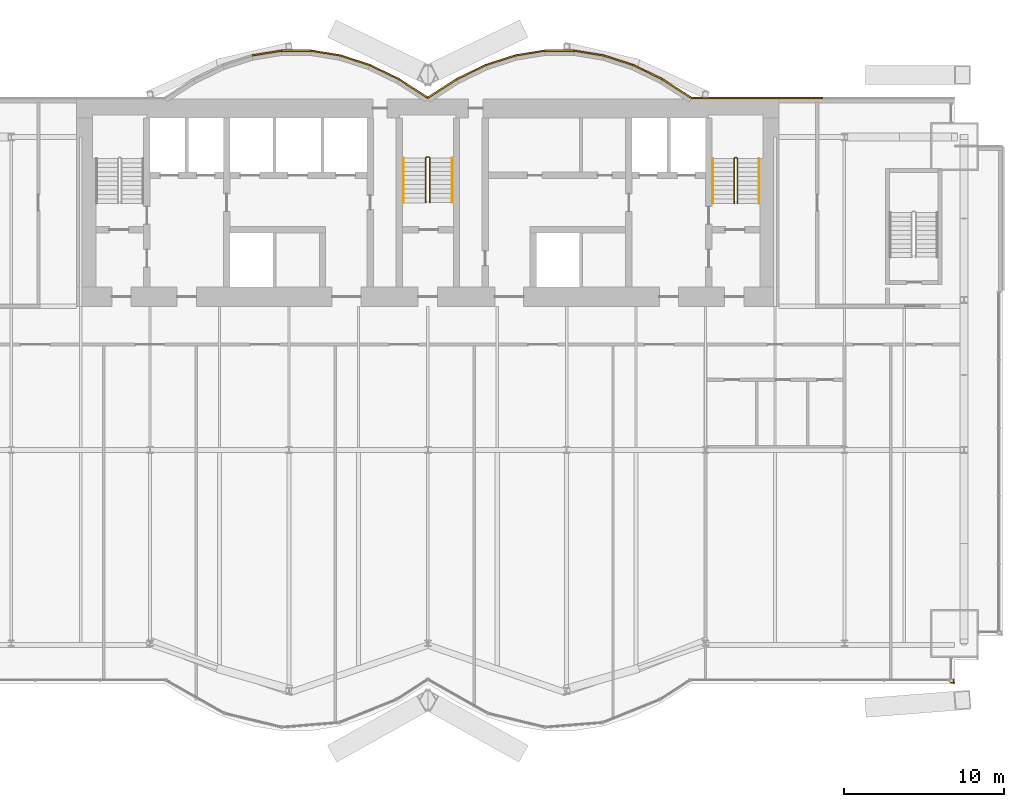
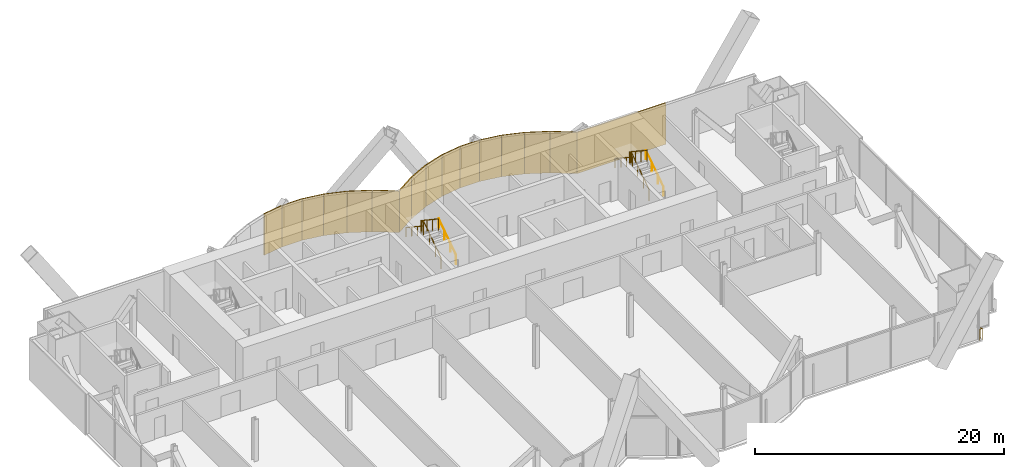
# One storey, part 20 of 21: 16 coverings, 7 railings.
"""IFC4 building model written with IfcOpenShell, lengths in metres."""

import ifcopenshell
import ifcopenshell.guid

model = None  # the IFC model being written
_history = None  # IfcOwnerHistory: only IFC2X3 demands one
_inside = {}  # id of a spatial element -> (the spatial element, [elements in it])
_under = {}  # id of a project, library or spatial element -> (it, [spatial elements below it])
_declared = {}  # id of a project -> (the project, [libraries it declares])
_typed = {}  # id of a type object -> (the type object, [elements of that type])
_made_of = {}  # id of a material, layer set ... -> (it, [elements and type objects made of it])


def new_model(schema):
    """Start an empty IFC model of exactly this schema.

    Asked for "IFC4X3", IfcOpenShell would pick the latest addendum, in which some entities
    have other attributes; the version numbers below select the first issue.
    IFC2X3 requires an IfcOwnerHistory on every rooted entity: one is made here for all.
    """
    global model, _history
    if schema == "IFC4X3":
        model = ifcopenshell.file(schema_version=(4, 3, 0, 0))
    else:
        model = ifcopenshell.file(schema=schema)
    _inside.clear()
    _under.clear()
    _declared.clear()
    _typed.clear()
    _made_of.clear()
    _history = None
    if model.schema == "IFC2X3":
        org = make("IfcOrganization", Name="unknown")
        user = make(
            "IfcPersonAndOrganization",
            ThePerson=make("IfcPerson", FamilyName="unknown"),
            TheOrganization=org,
        )
        app = make(
            "IfcApplication",
            ApplicationDeveloper=org,
            Version="unknown",
            ApplicationFullName="unknown",
            ApplicationIdentifier="unknown",
        )
        _history = make(
            "IfcOwnerHistory",
            OwningUser=user,
            OwningApplication=app,
            ChangeAction="ADDED",
            CreationDate=0,
        )
    return model


def make(cls, **values):
    """One entity of the class cls with the attributes given. An attribute that is None is left unset."""
    return model.create_entity(
        cls, **{name: value for name, value in values.items() if value is not None}
    )


def rooted(cls, **values):
    """An entity with a GlobalId (a new one), such as an element, a storey or a relation."""
    return make(cls, GlobalId=ifcopenshell.guid.new(), OwnerHistory=_history, **values)


def si_unit(unit_type, name, prefix=None):
    """IfcSIUnit, for example si_unit("LENGTHUNIT", "METRE", prefix="MILLI")."""
    return make("IfcSIUnit", UnitType=unit_type, Prefix=prefix, Name=name)


def assignment(units):
    """IfcUnitAssignment: the units of a project."""
    return None if units is None else make("IfcUnitAssignment", Units=units)


def point(xyz):
    """IfcCartesianPoint."""
    return None if xyz is None else make("IfcCartesianPoint", Coordinates=xyz)


def direction(xyz):
    """IfcDirection."""
    return None if xyz is None else make("IfcDirection", DirectionRatios=xyz)


def frame(location, z_axis=None, x_axis=None):
    """IfcAxis2Placement3D, a coordinate frame: its origin and axes. An axis left out is left unset."""
    return make(
        "IfcAxis2Placement3D",
        Location=point(location),
        Axis=direction(z_axis),
        RefDirection=direction(x_axis),
    )


def frame_2d(location, x_axis=None):
    """IfcAxis2Placement2D, a coordinate frame in the plane: its origin and x axis."""
    return make(
        "IfcAxis2Placement2D", Location=point(location), RefDirection=direction(x_axis)
    )


def origin():
    """The frame at (0, 0, 0) with its axes left unset."""
    return frame((0.0, 0.0, 0.0))


def origin_2d():
    """The frame at (0, 0) in the plane with its x axis left unset."""
    return frame_2d((0.0, 0.0))


def place(relative_to, where):
    """IfcLocalPlacement: puts the frame where relative to a parent placement (None: the world)."""
    return make(
        "IfcLocalPlacement", PlacementRelTo=relative_to, RelativePlacement=where
    )


def context(
    kind, dimensions, precision=None, world=None, true_north=None, identifier=None
):
    """IfcGeometricRepresentationContext, for example the 3D "Model" context."""
    return make(
        "IfcGeometricRepresentationContext",
        ContextIdentifier=identifier,
        ContextType=kind,
        CoordinateSpaceDimension=dimensions,
        Precision=precision,
        WorldCoordinateSystem=world,
        TrueNorth=true_north,
    )


def subcontext(parent, identifier, kind, view, scale=None):
    """IfcGeometricRepresentationSubContext, for example "Body" below "Model"."""
    return make(
        "IfcGeometricRepresentationSubContext",
        ContextIdentifier=identifier,
        ContextType=kind,
        ParentContext=parent,
        TargetScale=scale,
        TargetView=view,
    )


def project(units=None, contexts=None):
    """IfcProject with its units and contexts."""
    return rooted(
        "IfcProject",
        Name="project",
        RepresentationContexts=contexts,
        UnitsInContext=assignment(units),
    )


def spatial(cls, under=None, at=None, **own):
    """A site, building, storey or space (cls), placed at a placement, below another one or the project."""
    s = rooted(cls, ObjectPlacement=at, **own)
    if under is not None:
        _under.setdefault(under.id(), (under, []))[1].append(s)
    return s


def profile(cls, at=None, kind="AREA", **sizes):
    """A parametric profile (cls). Its sizes go by their IFC names, for example OverallWidth=200.0."""
    return make(cls, ProfileType=kind, Position=at, **sizes)


def rectangle(**sizes):
    """IfcRectangleProfileDef."""
    return profile("IfcRectangleProfileDef", **sizes)


def circle(**sizes):
    """IfcCircleProfileDef."""
    return profile("IfcCircleProfileDef", **sizes)


def extrude(swept, where, along, depth):
    """IfcExtrudedAreaSolid: the profile swept, set in the frame where, extruded along a direction by depth."""
    return make(
        "IfcExtrudedAreaSolid",
        SweptArea=swept,
        Position=where,
        ExtrudedDirection=direction(along),
        Depth=depth,
    )


def shape(context_of_items, identifier, shape_type, items):
    """IfcShapeRepresentation: the items that make up one representation, for example the "Body"."""
    return make(
        "IfcShapeRepresentation",
        ContextOfItems=context_of_items,
        RepresentationIdentifier=identifier,
        RepresentationType=shape_type,
        Items=items,
    )


def material(Name=None, Category=None):
    """IfcMaterial."""
    return make("IfcMaterial", Name=Name, Category=Category)


def layer(
    of_material, thickness, ventilated=None, Name=None, Category=None, Priority=None
):
    """IfcMaterialLayer: one layer of a wall or slab, of a material (None: an air gap)."""
    return make(
        "IfcMaterialLayer",
        Material=of_material,
        LayerThickness=thickness,
        IsVentilated=ventilated,
        Name=Name,
        Category=Category,
        Priority=Priority,
    )


def layer_set(layers, Name=None):
    """IfcMaterialLayerSet."""
    return make("IfcMaterialLayerSet", MaterialLayers=layers, LayerSetName=Name)


def made_of(thing, what):
    """Note that an element or type object is made of a material, layer set ...; save() writes the relation."""
    if what is not None:
        _made_of.setdefault(what.id(), (what, []))[1].append(thing)
    return thing


def type_object(cls, material=None, **own):
    """A type object (cls), such as IfcWallType, which elements share."""
    return made_of(rooted(cls, **own), material)


def element(
    cls,
    number,
    at=None,
    inside=None,
    cuts=None,
    type_object=None,
    material=None,
    context=None,
    identifier="Body",
    shape_type=None,
    held_by="IfcProductDefinitionShape",
    body=None,
    shapes=None,
    **own,
):
    """One element of the class cls, such as IfcWall. Its Tag is "e" and its number.

    at: its placement. inside: the storey or other place that contains it. cuts: it is an
    opening in that element (IfcRelVoidsElement). A single representation is given by context,
    identifier, shape_type and body (its items); several are given by shapes. held_by: the class
    of the entity that holds the representations. save() writes the other relations.
    """
    e = rooted(cls, Tag="e%d" % number, ObjectPlacement=at, **own)
    if body is not None:
        shapes = [shape(context, identifier, shape_type, body)]
    if shapes is not None:
        e.Representation = make(held_by, Representations=shapes)
    if inside is not None:
        _inside.setdefault(inside.id(), (inside, []))[1].append(e)
    if cuts is not None:
        rooted(
            "IfcRelVoidsElement", RelatingBuildingElement=cuts, RelatedOpeningElement=e
        )
    if type_object is not None:
        _typed.setdefault(type_object.id(), (type_object, []))[1].append(e)
    return made_of(e, material)


def aggregate(whole, parts):
    """IfcRelAggregates: a whole, such as a stair, and the parts it consists of."""
    return rooted("IfcRelAggregates", RelatingObject=whole, RelatedObjects=parts)


def save(model, path):
    """Write the relations noted so far, then the file.

    IfcRelAggregates (storeys below a building ...), IfcRelContainedInSpatialStructure (elements
    in a storey), IfcRelDefinesByType, IfcRelAssociatesMaterial and IfcRelDeclares: one each for
    every whole, place, type object, material and project.
    """
    for whole, parts in _under.values():
        aggregate(whole, parts)
    for where, things in _inside.values():
        rooted(
            "IfcRelContainedInSpatialStructure",
            RelatedElements=things,
            RelatingStructure=where,
        )
    for kind, things in _typed.values():
        rooted("IfcRelDefinesByType", RelatedObjects=things, RelatingType=kind)
    for what, things in _made_of.values():
        rooted("IfcRelAssociatesMaterial", RelatedObjects=things, RelatingMaterial=what)
    for by, libraries in _declared.values():
        rooted("IfcRelDeclares", RelatingContext=by, RelatedDefinitions=libraries)
    model.write(path)


model = new_model("IFC4")

# Units and contexts
model_context = context("Model", 3, precision=1e-05, world=origin(), true_north=direction((0.0, 1.0)))
body_context = subcontext(model_context, "Body", "Model", "MODEL_VIEW")
ifc_project = project(units=[si_unit("LENGTHUNIT", "METRE"), si_unit("AREAUNIT", "SQUARE_METRE"), si_unit("VOLUMEUNIT", "CUBIC_METRE"), si_unit("PLANEANGLEUNIT", "RADIAN"), si_unit("MASSUNIT", "GRAM", prefix="KILO")], contexts=[model_context])

# Site, building, storey
site_placement = place(None, origin())
site = spatial("IfcSite", under=ifc_project, at=site_placement, CompositionType="ELEMENT")
building_placement = place(site_placement, origin())
building = spatial("IfcBuilding", under=site, at=building_placement, Name="Bicima Exchange Tower", CompositionType="ELEMENT")
storey_placement = place(building_placement, frame((0.0, 0.0, 130.89990234375)))
storey = spatial("IfcBuildingStorey", under=building, at=storey_placement, Name="L28", CompositionType="ELEMENT", Elevation=130.89990234375)

# Coverings
ifc_material_1 = material(Name="Bronze metal cladding")
ifc_layer_1 = layer(ifc_material_1, 0.004)
ifc_material_2 = material(Name="Ventilated cavity")
ifc_layer_2 = layer(ifc_material_2, 0.06)
ifc_material_3 = material(Name="Galvanised steel rail and mineral wool", Category="steel")
ifc_layer_3 = layer(ifc_material_3, 0.036)
ifc_layer_set = layer_set([ifc_layer_1, ifc_layer_2, ifc_layer_3], Name="Ventilated cavity")
covering_type = type_object("IfcCoveringType", Name="Bronze metal cladding panel 100", PredefinedType="CLADDING", material=ifc_layer_set)
covering_1_placement = place(storey_placement, frame((20.625, 0.050048828125, -0.14990234375), z_axis=(0.0, 0.0, 1.0), x_axis=(-1.0, 0.0, 0.0)))
element("IfcCovering", 1, at=covering_1_placement, inside=storey, type_object=covering_type, Name="Bronze cladding L28 1.2", PredefinedType="CLADDING", context=body_context, shape_type="SweptSolid", body=[
    extrude(rectangle(XDim=8.25, YDim=0.10009765625, at=origin_2d()), origin(), (0.0, 0.0, 1.0), 4.050048828125),
])
covering_2_placement = place(storey_placement, frame((15.610595703125, 0.634521484375, -0.14990234375), z_axis=(0.0, 0.0, 1.0), x_axis=(-0.839790466384, 0.542910648791, 0.0)))
element("IfcCovering", 2, at=covering_2_placement, inside=storey, type_object=covering_type, Name="Bronze cladding L28 2.1", PredefinedType="CLADDING", context=body_context, shape_type="SweptSolid", body=[
    extrude(rectangle(XDim=2.18310546875, YDim=0.10009765625, at=origin_2d()), origin(), (0.0, 0.0, 1.0), 4.050048828125),
])
covering_3_placement = place(storey_placement, frame((13.771728515625, 1.674560546875, -0.14990234375), z_axis=(0.0, 0.0, 1.0), x_axis=(-0.899818346812, 0.436264762204, 0.0)))
element("IfcCovering", 3, at=covering_3_placement, inside=storey, type_object=covering_type, Name="Bronze cladding L28 3.1", PredefinedType="CLADDING", context=body_context, shape_type="SweptSolid", body=[
    extrude(rectangle(XDim=2.03759765625, YDim=0.10009765625, at=origin_2d()), origin(), (0.0, 0.0, 1.0), 4.050048828125),
])
covering_4_placement = place(storey_placement, frame((11.931884765625, 2.41796875, -0.14990234375), z_axis=(0.0, 0.0, 1.0), x_axis=(-0.951524642381, 0.307572519808, 0.0)))
element("IfcCovering", 4, at=covering_4_placement, inside=storey, type_object=covering_type, Name="Bronze cladding L28 4.1", PredefinedType="CLADDING", context=body_context, shape_type="SweptSolid", body=[
    extrude(rectangle(XDim=1.9267578125, YDim=0.10009765625, at=origin_2d()), origin(), (0.0, 0.0, 1.0), 4.050048828125),
])
covering_5_placement = place(storey_placement, frame((10.09130859375, 2.8642578125, -0.14990234375), z_axis=(0.0, 0.0, 1.0), x_axis=(-0.987189786347, 0.159550386184, 0.0)))
element("IfcCovering", 5, at=covering_5_placement, inside=storey, type_object=covering_type, Name="Bronze cladding L28 5.1", PredefinedType="CLADDING", context=body_context, shape_type="SweptSolid", body=[
    extrude(rectangle(XDim=1.857177734375, YDim=0.10009765625, at=origin_2d()), origin(), (0.0, 0.0, 1.0), 4.050048828125),
])
covering_6_placement = place(storey_placement, frame((8.25, 3.012939453125, -0.14990234375), z_axis=(0.0, 0.0, 1.0), x_axis=(-1.0, 0.0, 0.0)))
element("IfcCovering", 6, at=covering_6_placement, inside=storey, type_object=covering_type, Name="Bronze cladding L28 6.1", PredefinedType="CLADDING", context=body_context, shape_type="SweptSolid", body=[
    extrude(rectangle(XDim=1.83349609375, YDim=0.10009765625, at=origin_2d()), origin(), (0.0, 0.0, 1.0), 4.050048828125),
])
covering_7_placement = place(storey_placement, frame((6.40869140625, 2.8642578125, -0.14990234375), z_axis=(0.0, 0.0, 1.0), x_axis=(-0.987189786347, -0.159550386184, 0.0)))
element("IfcCovering", 7, at=covering_7_placement, inside=storey, type_object=covering_type, Name="Bronze cladding L28 7.1", PredefinedType="CLADDING", context=body_context, shape_type="SweptSolid", body=[
    extrude(rectangle(XDim=1.857177734375, YDim=0.10009765625, at=origin_2d()), origin(), (0.0, 0.0, 1.0), 4.050048828125),
])
covering_8_placement = place(storey_placement, frame((4.568115234375, 2.41796875, -0.14990234375), z_axis=(0.0, 0.0, 1.0), x_axis=(-0.951524642381, -0.307572519808, 0.0)))
element("IfcCovering", 8, at=covering_8_placement, inside=storey, type_object=covering_type, Name="Bronze cladding L28 8.1", PredefinedType="CLADDING", context=body_context, shape_type="SweptSolid", body=[
    extrude(rectangle(XDim=1.9267578125, YDim=0.10009765625, at=origin_2d()), origin(), (0.0, 0.0, 1.0), 4.050048828125),
])
covering_9_placement = place(storey_placement, frame((2.728271484375, 1.674560546875, -0.14990234375), z_axis=(0.0, 0.0, 1.0), x_axis=(-0.899818346812, -0.436264762204, 0.0)))
element("IfcCovering", 9, at=covering_9_placement, inside=storey, type_object=covering_type, Name="Bronze cladding L28 9.1", PredefinedType="CLADDING", context=body_context, shape_type="SweptSolid", body=[
    extrude(rectangle(XDim=2.03759765625, YDim=0.10009765625, at=origin_2d()), origin(), (0.0, 0.0, 1.0), 4.050048828125),
])
for number, where, z_axis, x_axis, name in (
    (10, (0.889404296875, 0.634521484375, -0.14990234375), (0.0, 0.0, 1.0), (-0.839790466384, -0.542910648791, 0.0), "Bronze cladding L28 10.1"),
    (11, (-0.889404296875, 0.634521484375, -0.14990234375), (0.0, 0.0, 1.0), (-0.839790466384, 0.542910648791, 0.0), "Bronze cladding L28 11.1"),
):
    element("IfcCovering", number, at=place(storey_placement, frame(where, z_axis=z_axis, x_axis=x_axis)), inside=storey, type_object=covering_type, Name=name, PredefinedType="CLADDING", context=body_context, shape_type="SweptSolid", body=[
        extrude(rectangle(XDim=2.18310546875, YDim=0.10009765625, at=origin_2d()), origin(), (0.0, 0.0, 1.0), 4.050048828125),
    ])
covering_10_placement = place(storey_placement, frame((-2.728271484375, 1.674560546875, -0.14990234375), z_axis=(0.0, 0.0, 1.0), x_axis=(-0.899818346812, 0.436264762204, 0.0)))
element("IfcCovering", 12, at=covering_10_placement, inside=storey, type_object=covering_type, Name="Bronze cladding L28 12.1", PredefinedType="CLADDING", context=body_context, shape_type="SweptSolid", body=[
    extrude(rectangle(XDim=2.03759765625, YDim=0.10009765625, at=origin_2d()), origin(), (0.0, 0.0, 1.0), 4.050048828125),
])
covering_11_placement = place(storey_placement, frame((-4.568115234375, 2.41796875, -0.14990234375), z_axis=(0.0, 0.0, 1.0), x_axis=(-0.951524642381, 0.307572519808, 0.0)))
element("IfcCovering", 13, at=covering_11_placement, inside=storey, type_object=covering_type, Name="Bronze cladding L28 13.1", PredefinedType="CLADDING", context=body_context, shape_type="SweptSolid", body=[
    extrude(rectangle(XDim=1.9267578125, YDim=0.10009765625, at=origin_2d()), origin(), (0.0, 0.0, 1.0), 4.050048828125),
])
covering_12_placement = place(storey_placement, frame((-6.40869140625, 2.8642578125, -0.14990234375), z_axis=(0.0, 0.0, 1.0), x_axis=(-0.987189786347, 0.159550386184, 0.0)))
element("IfcCovering", 14, at=covering_12_placement, inside=storey, type_object=covering_type, Name="Bronze cladding L28 14.1", PredefinedType="CLADDING", context=body_context, shape_type="SweptSolid", body=[
    extrude(rectangle(XDim=1.857177734375, YDim=0.10009765625, at=origin_2d()), origin(), (0.0, 0.0, 1.0), 4.050048828125),
])
covering_13_placement = place(storey_placement, frame((-8.25, 3.012939453125, -0.14990234375), z_axis=(0.0, 0.0, 1.0), x_axis=(-1.0, 0.0, 0.0)))
element("IfcCovering", 15, at=covering_13_placement, inside=storey, type_object=covering_type, Name="Bronze cladding L28 15.1", PredefinedType="CLADDING", context=body_context, shape_type="SweptSolid", body=[
    extrude(rectangle(XDim=1.83349609375, YDim=0.10009765625, at=origin_2d()), origin(), (0.0, 0.0, 1.0), 4.050048828125),
])
covering_14_placement = place(storey_placement, frame((-10.09130859375, 2.8642578125, -0.14990234375), z_axis=(0.0, 0.0, 1.0), x_axis=(-0.987189786347, -0.159550386184, 0.0)))
element("IfcCovering", 16, at=covering_14_placement, inside=storey, type_object=covering_type, Name="Bronze cladding L28 16.1", PredefinedType="CLADDING", context=body_context, shape_type="SweptSolid", body=[
    extrude(rectangle(XDim=1.857177734375, YDim=0.10009765625, at=origin_2d()), origin(), (0.0, 0.0, 1.0), 4.050048828125),
])

# Railings
ifc_material_4 = material(Name="Stainless steel and bonded safety glass", Category="steel")
railing_type_1 = type_object("IfcRailingType", Name="Edge guard 1100", PredefinedType="GUARDRAIL", material=ifc_material_4)
railing_1_placement = place(storey_placement, frame((32.949951171875, -36.382080078125, 0.0)))
element("IfcRailing", 17, at=railing_1_placement, inside=storey, type_object=railing_type_1, Name="Edge guard L28 142", PredefinedType="GUARDRAIL", context=body_context, shape_type="SweptSolid", body=[
    extrude(circle(Radius=0.02392578125, at=origin_2d()), frame((0.0, 0.0, 1.076171875), z_axis=(0.0, -1.0, 0.0), x_axis=(1.0, 0.0, 0.0)), (0.0, 0.0, 1.0), 0.25),
    extrude(circle(Radius=0.02392578125, at=origin_2d()), frame((0.0, -0.25, 1.076171875), z_axis=(0.707106781187, 0.707106781187, 0.0), x_axis=(-0.707106781187, 0.707106781187, 0.0)), (0.0, 0.0, 1.0), 0.07080078125),
    extrude(circle(Radius=0.02392578125, at=origin_2d()), frame((0.050048828125, -0.199951171875, 1.076171875), z_axis=(-1.0, 0.0, 0.0), x_axis=(0.0, -1.0, 0.0)), (0.0, 0.0, 1.0), 0.25),
    extrude(circle(Radius=0.02099609375, at=origin_2d()), origin(), (0.0, 0.0, 1.0), 1.052001953125),
    extrude(circle(Radius=0.02099609375, at=origin_2d()), frame((0.0, -0.25, 0.0)), (0.0, 0.0, 1.0), 1.052001953125),
    extrude(circle(Radius=0.02099609375, at=origin_2d()), frame((0.050048828125, -0.199951171875, 0.0)), (0.0, 0.0, 1.0), 1.052001953125),
    extrude(circle(Radius=0.02099609375, at=origin_2d()), frame((-0.199951171875, -0.199951171875, 0.0)), (0.0, 0.0, 1.0), 1.052001953125),
])
ifc_material_5 = material(Name="Stainless steel", Category="steel")
railing_type_2 = type_object("IfcRailingType", Name="Stair guard 1100", PredefinedType="GUARDRAIL", material=ifc_material_5)
railing_2_placement = place(storey_placement, frame((0.125, -6.5, 0.1865234375)))
element("IfcRailing", 18, at=railing_2_placement, inside=storey, type_object=railing_type_2, Name="L28 ST-C stair guard 1", PredefinedType="GUARDRAIL", context=body_context, shape_type="SweptSolid", body=[
    extrude(circle(Radius=0.02392578125, at=origin_2d()), frame((0.0, 0.0, 1.076171875), z_axis=(0.0, 0.832485552168, 0.554046753832), x_axis=(-1.0, 0.0, 0.0)), (0.0, 0.0, 1.0), 3.363525390625),
    extrude(circle(Radius=0.02392578125, at=origin_2d()), frame((0.0, 2.800048828125, 2.939453125), z_axis=(-0.707106781187, 0.707106781187, 0.0), x_axis=(-0.707106781187, -0.707106781187, 0.0)), (0.0, 0.0, 1.0), 0.07080078125),
    extrude(circle(Radius=0.02392578125, at=origin_2d()), frame((-0.050048828125, 2.85009765625, 2.939453125), z_axis=(-1.0, 0.0, 0.0), x_axis=(0.0, -1.0, 0.0)), (0.0, 0.0, 1.0), 0.14990234375),
    extrude(circle(Radius=0.02392578125, at=origin_2d()), frame((-0.199951171875, 2.85009765625, 2.939453125), z_axis=(-0.250869701741, -0.250869701741, 0.934948546978), x_axis=(0.707106781187, -0.707106781187, 0.0)), (0.0, 0.0, 1.0), 0.199462890625),
    extrude(circle(Radius=0.02392578125, at=origin_2d()), frame((-0.25, 2.800048828125, 3.1259765625), z_axis=(0.0, -0.832485552168, 0.554046753832), x_axis=(1.0, 0.0, 0.0)), (0.0, 0.0, 1.0), 3.363525390625),
    extrude(circle(Radius=0.02099609375, at=origin_2d()), origin(), (0.0, 0.0, 1.0), 1.052001953125),
    extrude(circle(Radius=0.02099609375, at=origin_2d()), frame((0.0, 0.933349609375, 0.62109375)), (0.0, 0.0, 1.0), 1.052001953125),
    extrude(circle(Radius=0.02099609375, at=origin_2d()), frame((0.0, 1.86669921875, 1.242431640625)), (0.0, 0.0, 1.0), 1.052001953125),
    extrude(circle(Radius=0.02099609375, at=origin_2d()), frame((0.0, 2.800048828125, 1.863525390625)), (0.0, 0.0, 1.0), 1.052001953125),
    extrude(circle(Radius=0.02099609375, at=origin_2d()), frame((-0.050048828125, 2.85009765625, 1.863525390625)), (0.0, 0.0, 1.0), 1.052001953125),
    extrude(circle(Radius=0.02099609375, at=origin_2d()), frame((-0.199951171875, 2.85009765625, 1.863525390625)), (0.0, 0.0, 1.0), 1.052001953125),
    extrude(circle(Radius=0.02099609375, at=origin_2d()), frame((-0.25, 2.800048828125, 2.050048828125)), (0.0, 0.0, 1.0), 1.052001953125),
    extrude(circle(Radius=0.02099609375, at=origin_2d()), frame((-0.25, 1.86669921875, 2.671142578125)), (0.0, 0.0, 1.0), 1.052001953125),
    extrude(circle(Radius=0.02099609375, at=origin_2d()), frame((-0.25, 0.933349609375, 3.29248046875)), (0.0, 0.0, 1.0), 1.052001953125),
    extrude(circle(Radius=0.02099609375, at=origin_2d()), frame((-0.25, 0.0, 3.91357421875)), (0.0, 0.0, 1.0), 1.052001953125),
])
railing_3_placement = place(storey_placement, frame((19.39990234375, -6.550048828125, 0.1865234375)))
element("IfcRailing", 19, at=railing_3_placement, inside=storey, type_object=railing_type_2, Name="L28 ST-E stair guard 1", PredefinedType="GUARDRAIL", context=body_context, shape_type="SweptSolid", body=[
    extrude(circle(Radius=0.02392578125, at=origin_2d()), frame((0.0, 0.0, 1.076171875), z_axis=(0.0, 0.832485552168, 0.554046753832), x_axis=(-1.0, 0.0, 0.0)), (0.0, 0.0, 1.0), 3.363525390625),
    extrude(circle(Radius=0.02392578125, at=origin_2d()), frame((0.0, 2.800048828125, 2.939453125), z_axis=(-0.705375805398, 0.708833529934, 0.0), x_axis=(-0.708833529934, -0.705375805398, 0.0)), (0.0, 0.0, 1.0), 0.070556640625),
    extrude(circle(Radius=0.02392578125, at=origin_2d()), frame((-0.0498046875, 2.85009765625, 2.939453125), z_axis=(-1.0, 0.0, 0.0), x_axis=(0.0, -1.0, 0.0)), (0.0, 0.0, 1.0), 0.10009765625),
    extrude(circle(Radius=0.02392578125, at=origin_2d()), frame((-0.14990234375, 2.85009765625, 2.939453125), z_axis=(-0.250869701741, -0.250869701741, 0.934948546978), x_axis=(0.707106781187, -0.707106781187, 0.0)), (0.0, 0.0, 1.0), 0.199462890625),
    extrude(circle(Radius=0.02392578125, at=origin_2d()), frame((-0.199951171875, 2.800048828125, 3.1259765625), z_axis=(0.0, -0.832485552168, 0.554046753832), x_axis=(1.0, 0.0, 0.0)), (0.0, 0.0, 1.0), 3.363525390625),
    extrude(circle(Radius=0.02099609375, at=origin_2d()), origin(), (0.0, 0.0, 1.0), 1.052001953125),
    extrude(circle(Radius=0.02099609375, at=origin_2d()), frame((0.0, 0.933349609375, 0.62109375)), (0.0, 0.0, 1.0), 1.052001953125),
    extrude(circle(Radius=0.02099609375, at=origin_2d()), frame((0.0, 1.86669921875, 1.242431640625)), (0.0, 0.0, 1.0), 1.052001953125),
    extrude(circle(Radius=0.02099609375, at=origin_2d()), frame((0.0, 2.800048828125, 1.863525390625)), (0.0, 0.0, 1.0), 1.052001953125),
    extrude(circle(Radius=0.02099609375, at=origin_2d()), frame((-0.0498046875, 2.85009765625, 1.863525390625)), (0.0, 0.0, 1.0), 1.052001953125),
    extrude(circle(Radius=0.02099609375, at=origin_2d()), frame((-0.14990234375, 2.85009765625, 1.863525390625)), (0.0, 0.0, 1.0), 1.052001953125),
    extrude(circle(Radius=0.02099609375, at=origin_2d()), frame((-0.199951171875, 2.800048828125, 2.050048828125)), (0.0, 0.0, 1.0), 1.052001953125),
    extrude(circle(Radius=0.02099609375, at=origin_2d()), frame((-0.199951171875, 1.86669921875, 2.671142578125)), (0.0, 0.0, 1.0), 1.052001953125),
    extrude(circle(Radius=0.02099609375, at=origin_2d()), frame((-0.199951171875, 0.933349609375, 3.29248046875)), (0.0, 0.0, 1.0), 1.052001953125),
    extrude(circle(Radius=0.02099609375, at=origin_2d()), frame((-0.199951171875, 0.0, 3.91357421875)), (0.0, 0.0, 1.0), 1.052001953125),
])
railing_type_3 = type_object("IfcRailingType", Name="Stair handrail 900", PredefinedType="HANDRAIL", material=ifc_material_5)
railing_4_placement = place(storey_placement, frame((1.52490234375, -6.5, 0.1865234375)))
element("IfcRailing", 20, at=railing_4_placement, inside=storey, type_object=railing_type_3, Name="L28 ST-C stair handrail 1", PredefinedType="HANDRAIL", context=body_context, shape_type="SweptSolid", body=[
    extrude(circle(Radius=0.02392578125, at=origin_2d()), frame((0.0, 0.0, 0.8759765625), z_axis=(0.0, 0.832485552168, 0.554046753832), x_axis=(-1.0, 0.0, 0.0)), (0.0, 0.0, 1.0), 3.363525390625),
    extrude(circle(Radius=0.02099609375, at=origin_2d()), origin(), (0.0, 0.0, 1.0), 0.851806640625),
    extrude(circle(Radius=0.02099609375, at=origin_2d()), frame((0.0, 0.933349609375, 0.62109375)), (0.0, 0.0, 1.0), 0.851806640625),
    extrude(circle(Radius=0.02099609375, at=origin_2d()), frame((0.0, 1.86669921875, 1.242431640625)), (0.0, 0.0, 1.0), 0.851806640625),
    extrude(circle(Radius=0.02099609375, at=origin_2d()), frame((0.0, 2.800048828125, 1.863525390625)), (0.0, 0.0, 1.0), 0.851806640625),
])
railing_5_placement = place(storey_placement, frame((-1.52490234375, -3.699951171875, 2.236572265625)))
element("IfcRailing", 21, at=railing_5_placement, inside=storey, type_object=railing_type_3, Name="L28 ST-C stair handrail 2", PredefinedType="HANDRAIL", context=body_context, shape_type="SweptSolid", body=[
    extrude(circle(Radius=0.02392578125, at=origin_2d()), frame((0.0, 0.0, 0.8759765625), z_axis=(0.0, -0.832485552168, 0.554046753832), x_axis=(1.0, 0.0, 0.0)), (0.0, 0.0, 1.0), 3.363525390625),
    extrude(circle(Radius=0.02099609375, at=origin_2d()), origin(), (0.0, 0.0, 1.0), 0.851806640625),
    extrude(circle(Radius=0.02099609375, at=origin_2d()), frame((0.0, -0.933349609375, 0.62109375)), (0.0, 0.0, 1.0), 0.851806640625),
    extrude(circle(Radius=0.02099609375, at=origin_2d()), frame((0.0, -1.86669921875, 1.242431640625)), (0.0, 0.0, 1.0), 0.851806640625),
    extrude(circle(Radius=0.02099609375, at=origin_2d()), frame((0.0, -2.800048828125, 1.863525390625)), (0.0, 0.0, 1.0), 0.851806640625),
])
railing_6_placement = place(storey_placement, frame((20.75, -6.550048828125, 0.1865234375)))
element("IfcRailing", 22, at=railing_6_placement, inside=storey, type_object=railing_type_3, Name="L28 ST-E stair handrail 1", PredefinedType="HANDRAIL", context=body_context, shape_type="SweptSolid", body=[
    extrude(circle(Radius=0.02392578125, at=origin_2d()), frame((0.0, 0.0, 0.8759765625), z_axis=(0.0, 0.832485552168, 0.554046753832), x_axis=(-1.0, 0.0, 0.0)), (0.0, 0.0, 1.0), 3.363525390625),
    extrude(circle(Radius=0.02099609375, at=origin_2d()), origin(), (0.0, 0.0, 1.0), 0.851806640625),
    extrude(circle(Radius=0.02099609375, at=origin_2d()), frame((0.0, 0.933349609375, 0.62109375)), (0.0, 0.0, 1.0), 0.851806640625),
    extrude(circle(Radius=0.02099609375, at=origin_2d()), frame((0.0, 1.86669921875, 1.242431640625)), (0.0, 0.0, 1.0), 0.851806640625),
    extrude(circle(Radius=0.02099609375, at=origin_2d()), frame((0.0, 2.800048828125, 1.863525390625)), (0.0, 0.0, 1.0), 0.851806640625),
])
railing_7_placement = place(storey_placement, frame((17.85009765625, -3.75, 2.236572265625)))
element("IfcRailing", 23, at=railing_7_placement, inside=storey, type_object=railing_type_3, Name="L28 ST-E stair handrail 2", PredefinedType="HANDRAIL", context=body_context, shape_type="SweptSolid", body=[
    extrude(circle(Radius=0.02392578125, at=origin_2d()), frame((0.0, 0.0, 0.8759765625), z_axis=(0.0, -0.832485552168, 0.554046753832), x_axis=(1.0, 0.0, 0.0)), (0.0, 0.0, 1.0), 3.363525390625),
    extrude(circle(Radius=0.02099609375, at=origin_2d()), origin(), (0.0, 0.0, 1.0), 0.851806640625),
    extrude(circle(Radius=0.02099609375, at=origin_2d()), frame((0.0, -0.933349609375, 0.62109375)), (0.0, 0.0, 1.0), 0.851806640625),
    extrude(circle(Radius=0.02099609375, at=origin_2d()), frame((0.0, -1.86669921875, 1.242431640625)), (0.0, 0.0, 1.0), 0.851806640625),
    extrude(circle(Radius=0.02099609375, at=origin_2d()), frame((0.0, -2.800048828125, 1.863525390625)), (0.0, 0.0, 1.0), 0.851806640625),
])

save(model, "model.ifc")
